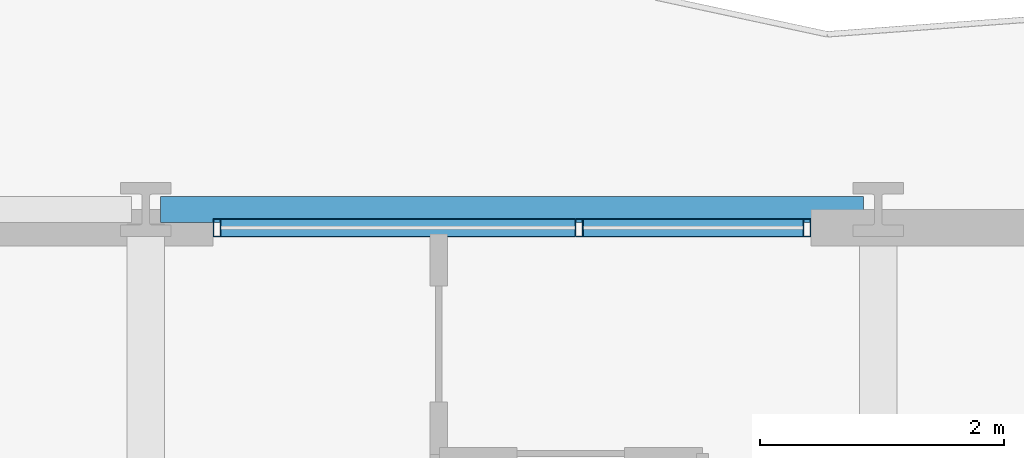
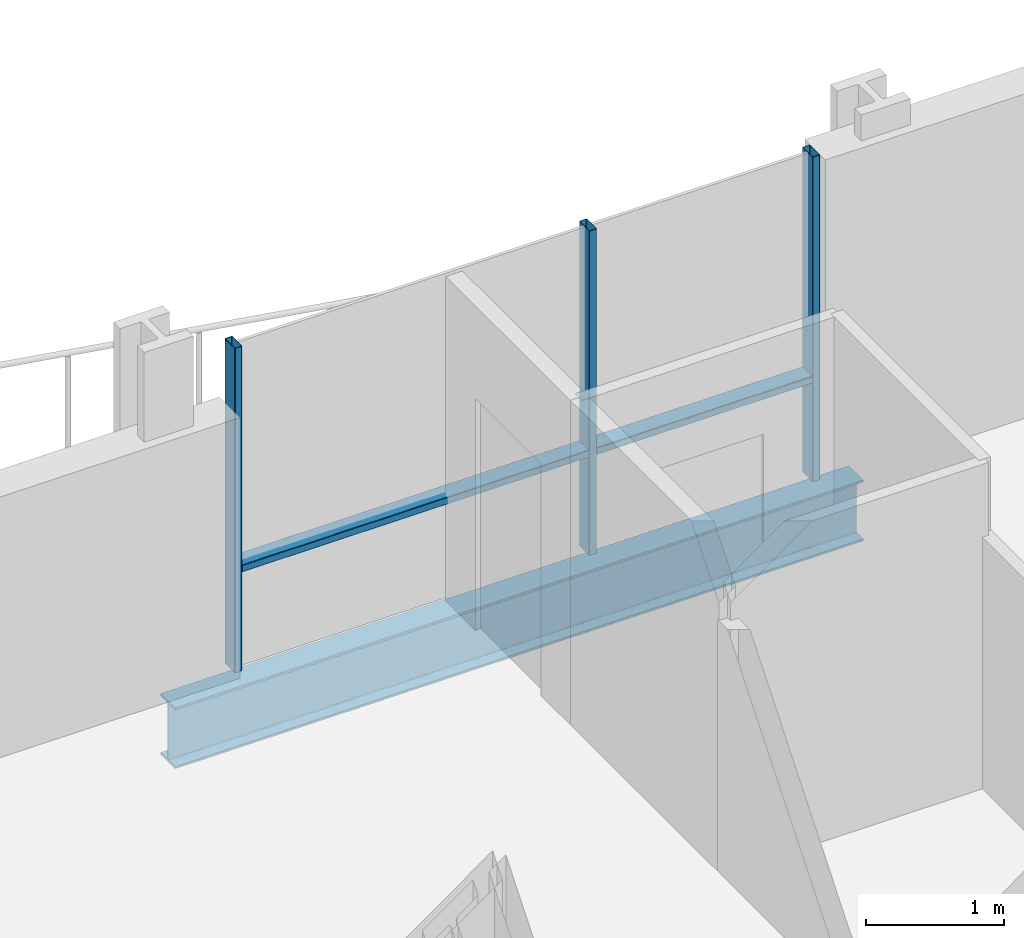
# One storey, part 24 of 40: 5 members, 1 beam, 1 element without a shape of its own.
"""IFC4 building model written with IfcOpenShell, lengths in metres."""

from ifc_helpers import new_model, si_unit, direction, frame, origin, origin_2d, place, context, subcontext, project, spatial, hollow_rectangle, i_section, extrude, material, layer, layer_set, material_profile, profile_set, type_object, element, aggregate, save


model = new_model("IFC4")

# Units and contexts
model_context = context("Model", 3, precision=1e-05, world=origin(), true_north=direction((0.0, 1.0)))
body_context = subcontext(model_context, "Body", "Model", "MODEL_VIEW")
ifc_project = project(units=[si_unit("LENGTHUNIT", "METRE"), si_unit("AREAUNIT", "SQUARE_METRE"), si_unit("VOLUMEUNIT", "CUBIC_METRE"), si_unit("PLANEANGLEUNIT", "RADIAN"), si_unit("MASSUNIT", "GRAM", prefix="KILO")], contexts=[model_context])

# Site, building, storey
site_placement = place(None, origin())
site = spatial("IfcSite", under=ifc_project, at=site_placement, CompositionType="ELEMENT")
building_placement = place(site_placement, origin())
building = spatial("IfcBuilding", under=site, at=building_placement, Name="Brevholm Reach", CompositionType="ELEMENT")
storey_placement = place(building_placement, frame((0.0, 0.0, 37.300048828125)))
storey = spatial("IfcBuildingStorey", under=building, at=storey_placement, Name="L09", CompositionType="ELEMENT", Elevation=37.300048828125)

# Beam
ifc_material_1 = material(Name="Structural Steel S355J2", Category="steel")
ifc_material_profile_1 = material_profile(ifc_material_1, i_section(OverallWidth=0.210693359375, OverallDepth=0.53955078125, WebThickness=0.01171875, FlangeThickness=0.018798828125, FilletRadius=0.0126953125, at=origin_2d()), Name="UKB 533x210x109")
ifc_profile_set_1 = profile_set([ifc_material_profile_1], Name="Structural Steel S355J2")
beam_type = type_object("IfcBeamType", Name="BM-SP539", PredefinedType="SPANDREL", material=ifc_profile_set_1)
beam_placement = place(storey_placement, frame((48.1201171875, 31.0, -0.499755859375), z_axis=(1.0, 0.0, 0.0), x_axis=(0.0, 1.0, 0.0)))
element("IfcBeam", 1, at=beam_placement, inside=storey, type_object=beam_type, Name="L09 SP-01B Framing Beam", PredefinedType="SPANDREL", context=body_context, shape_type="SweptSolid", body=[
    extrude(i_section(OverallWidth=0.210693359375, OverallDepth=0.53955078125, WebThickness=0.01171875, FlangeThickness=0.018798828125, FilletRadius=0.0126953125, at=origin_2d()), origin(), (0.0, 0.0, 1.0), 5.759765625),
])

# Curtain wall, members
ifc_material_2 = material(Name="Dark Anodised Aluminium 6063-T6 and Solar-Control Glass", Category="aluminium")
ifc_layer = layer(ifc_material_2, 0.14990234375)
ifc_layer_set = layer_set([ifc_layer], Name="Dark Anodised Aluminium 6063-T6 and Solar-Control Glass")
curtain_wall_type = type_object("IfcCurtainWallType", Name="CW-01", PredefinedType="NOTDEFINED", material=ifc_layer_set)
curtain_wall_placement = place(storey_placement, origin())
curtain_wall = element("IfcCurtainWall", 2, at=curtain_wall_placement, inside=storey, type_object=curtain_wall_type, Name="L09 Curtain Wall CW-01", PredefinedType="NOTDEFINED")
ifc_material_3 = material(Name="Dark Anodised Aluminium 6063-T6", Category="aluminium")
ifc_material_profile_2 = material_profile(ifc_material_3, hollow_rectangle(XDim=0.06494140625, YDim=0.14990234375, WallThickness=0.0048828125, InnerFilletRadius=0.0048828125, OuterFilletRadius=0.010009765625, at=origin_2d()), Name="RHS 150x65x5")
ifc_profile_set_2 = profile_set([ifc_material_profile_2], Name="Dark Anodised Aluminium 6063-T6")
member_type_1 = type_object("IfcMemberType", Name="CWM-150", PredefinedType="MULLION", material=ifc_profile_set_2)
member_1_placement = place(storey_placement, frame((48.58251953125, 30.85009765625, 0.0), z_axis=(0.0, 0.0, 1.0), x_axis=(1.0, 0.0, 0.0)))
member_1 = element("IfcMember", 3, at=member_1_placement, type_object=member_type_1, Name="CM-150 Mullion 1", PredefinedType="MULLION", context=body_context, shape_type="SweptSolid", body=[
    extrude(hollow_rectangle(XDim=0.06494140625, YDim=0.14990234375, WallThickness=0.0048828125, InnerFilletRadius=0.0048828125, OuterFilletRadius=0.010009765625, at=origin_2d()), origin(), (0.0, 0.0, 1.0), 2.869873046875),
])
member_2_placement = place(storey_placement, frame((51.550048828125, 30.85009765625, 0.0), z_axis=(0.0, 0.0, 1.0), x_axis=(1.0, 0.0, 0.0)))
member_2 = element("IfcMember", 4, at=member_2_placement, type_object=member_type_1, Name="CM-150 Mullion 2", PredefinedType="MULLION", context=body_context, shape_type="SweptSolid", body=[
    extrude(hollow_rectangle(XDim=0.06494140625, YDim=0.14990234375, WallThickness=0.0048828125, InnerFilletRadius=0.0048828125, OuterFilletRadius=0.010009765625, at=origin_2d()), origin(), (0.0, 0.0, 1.0), 2.869873046875),
])
member_3_placement = place(storey_placement, frame((53.41748046875, 30.85009765625, 0.0), z_axis=(0.0, 0.0, 1.0), x_axis=(1.0, 0.0, 0.0)))
member_3 = element("IfcMember", 5, at=member_3_placement, type_object=member_type_1, Name="CM-150 Mullion 3", PredefinedType="MULLION", context=body_context, shape_type="SweptSolid", body=[
    extrude(hollow_rectangle(XDim=0.06494140625, YDim=0.14990234375, WallThickness=0.0048828125, InnerFilletRadius=0.0048828125, OuterFilletRadius=0.010009765625, at=origin_2d()), origin(), (0.0, 0.0, 1.0), 2.869873046875),
])
ifc_material_4 = material(Name="Dark Anodised Aluminium 6063-T6", Category="aluminium")
ifc_material_profile_3 = material_profile(ifc_material_4, hollow_rectangle(XDim=0.06494140625, YDim=0.14990234375, WallThickness=0.0048828125, InnerFilletRadius=0.0048828125, OuterFilletRadius=0.010009765625, at=origin_2d()), Name="RHS 150x65x5")
ifc_profile_set_3 = profile_set([ifc_material_profile_3], Name="Dark Anodised Aluminium 6063-T6")
member_type_2 = type_object("IfcMemberType", Name="CWT-150", PredefinedType="NOTDEFINED", material=ifc_profile_set_3)
member_4_placement = place(storey_placement, frame((48.614990234375, 30.85009765625, 0.89990234375), z_axis=(1.0, 0.0, 0.0), x_axis=(0.0, 0.0, 1.0)))
member_4 = element("IfcMember", 6, at=member_4_placement, type_object=member_type_2, Name="CT-150 Transom 1.1", ObjectType="TRANSOM", PredefinedType="USERDEFINED", context=body_context, shape_type="SweptSolid", body=[
    extrude(hollow_rectangle(XDim=0.06494140625, YDim=0.14990234375, WallThickness=0.0048828125, InnerFilletRadius=0.0048828125, OuterFilletRadius=0.010009765625, at=origin_2d()), origin(), (0.0, 0.0, 1.0), 2.902587890625),
])
member_5_placement = place(storey_placement, frame((51.58251953125, 30.85009765625, 0.89990234375), z_axis=(1.0, 0.0, 0.0), x_axis=(0.0, 0.0, 1.0)))
member_5 = element("IfcMember", 7, at=member_5_placement, type_object=member_type_2, Name="CT-150 Transom 2.1", ObjectType="TRANSOM", PredefinedType="USERDEFINED", context=body_context, shape_type="SweptSolid", body=[
    extrude(hollow_rectangle(XDim=0.06494140625, YDim=0.14990234375, WallThickness=0.0048828125, InnerFilletRadius=0.0048828125, OuterFilletRadius=0.010009765625, at=origin_2d()), origin(), (0.0, 0.0, 1.0), 1.802490234375),
])
aggregate(curtain_wall, [member_1, member_2, member_3, member_4, member_5])

save(model, "model.ifc")
